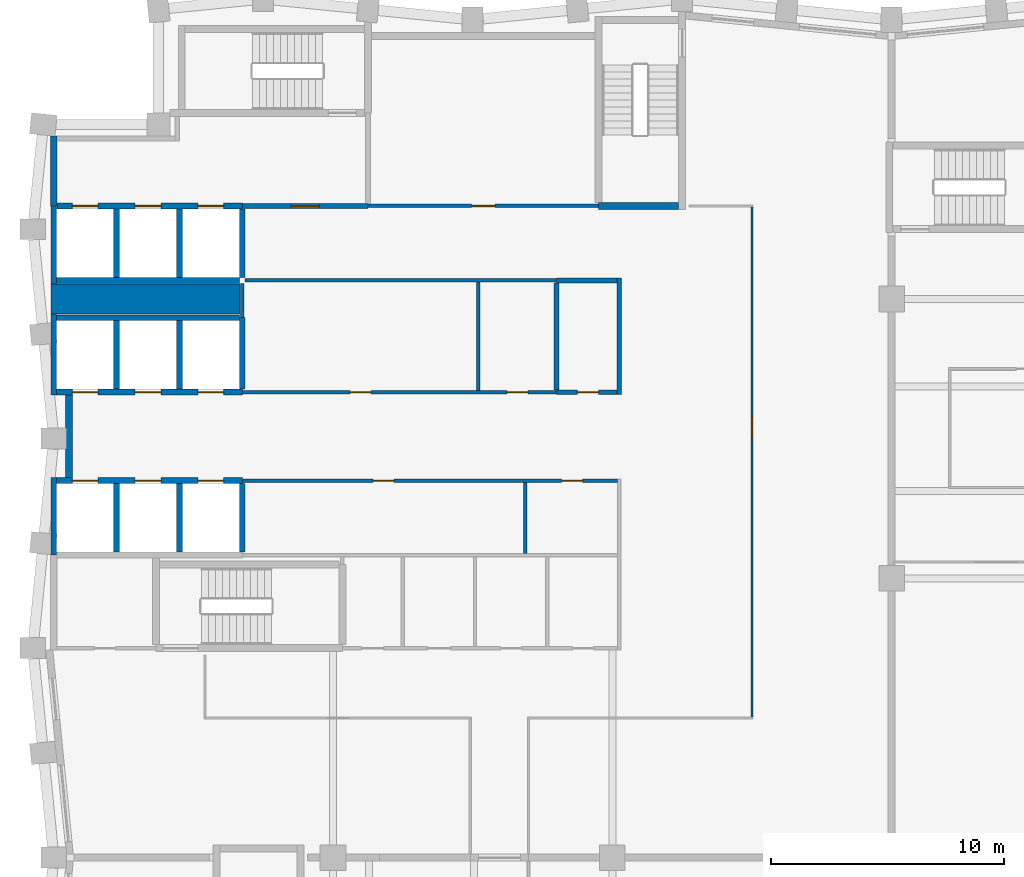
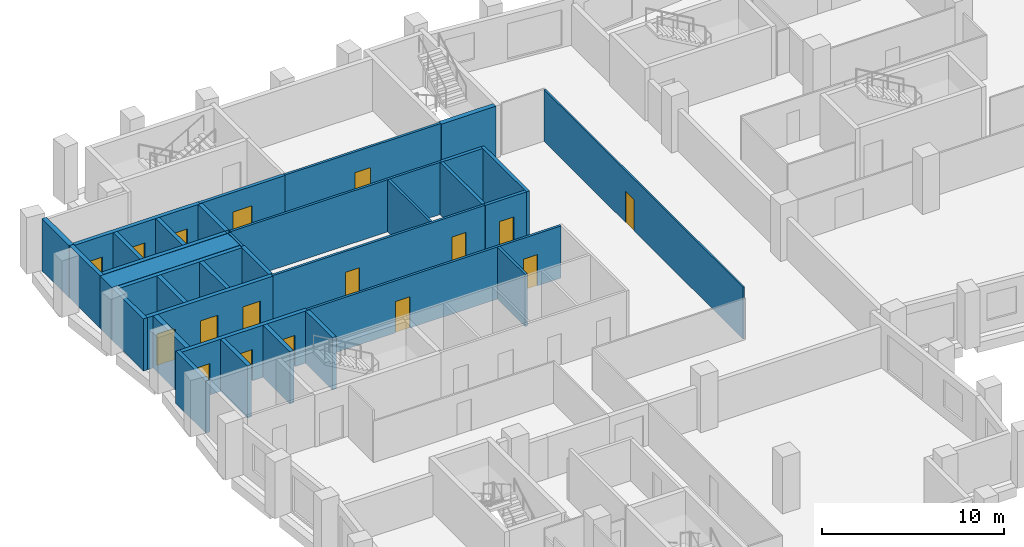
# One storey, part 5 of 10: 34 walls, 17 doors, 17 openings.
"""IFC4 building model written with IfcOpenShell, lengths in metres."""

from ifc_helpers import new_model, si_unit, direction, frame, frame_2d, origin, place, context, subcontext, project, spatial, rectangle, extrude, material, layer, layer_set, type_object, element, fill, save


model = new_model("IFC4")

# Units and contexts
model_context = context("Model", 3, precision=1e-05, world=origin(), true_north=direction((0.0, 1.0)))
body_context = subcontext(model_context, "Body", "Model", "MODEL_VIEW")
ifc_project = project(units=[si_unit("LENGTHUNIT", "METRE"), si_unit("AREAUNIT", "SQUARE_METRE"), si_unit("VOLUMEUNIT", "CUBIC_METRE"), si_unit("PLANEANGLEUNIT", "RADIAN"), si_unit("MASSUNIT", "GRAM", prefix="KILO")], contexts=[model_context])

# Site, building, storey
site_placement = place(None, origin())
site = spatial("IfcSite", under=ifc_project, at=site_placement, CompositionType="ELEMENT")
building_placement = place(site_placement, origin())
building = spatial("IfcBuilding", under=site, at=building_placement, Name="Brondeck Convention Tower", CompositionType="ELEMENT")
storey_placement = place(building_placement, frame((0.0, 0.0, 177.60009765625)))
storey = spatial("IfcBuildingStorey", under=building, at=storey_placement, Name="L43", CompositionType="ELEMENT", Elevation=177.60009765625)

# Walls
ifc_material_1 = material(Name="Concrete C70/85", Category="concrete")
ifc_layer_1 = layer(ifc_material_1, 0.199951171875)
ifc_layer_set_1 = layer_set([ifc_layer_1], Name="Core beam-seat wall 200 Concrete C70/85")
wall_type_1 = type_object("IfcWallType", Name="Core beam-seat wall 200 Concrete C70/85", PredefinedType="SHEAR", material=ifc_layer_set_1)
wall_1_placement = place(storey_placement, frame((24.300048828125, 46.89990234375, 0.0), z_axis=(0.0, 0.0, 1.0), x_axis=(0.0, 1.0, 0.0)))
element("IfcWall", 1, at=wall_1_placement, inside=storey, type_object=wall_type_1, Name="L43 core wall", PredefinedType="SHEAR", context=body_context, shape_type="SweptSolid", body=[
    extrude(rectangle(XDim=5.0, YDim=0.199951171875, at=frame_2d((2.5, 0.0))), origin(), (0.0, 0.0, 1.0), 3.5),
])
ifc_layer_2 = layer(ifc_material_1, 0.300048828125)
ifc_layer_set_2 = layer_set([ifc_layer_2], Name="Core outer wall 300 Concrete C70/85")
wall_type_2 = type_object("IfcWallType", Name="Core outer wall 300 Concrete C70/85", PredefinedType="SHEAR", material=ifc_layer_set_2)
wall_2_placement = place(storey_placement, frame((0.0, 55.0, 0.0), z_axis=(0.0, 0.0, 1.0), x_axis=(0.0, 1.0, 0.0)))
element("IfcWall", 2, at=wall_2_placement, inside=storey, type_object=wall_type_2, Name="L43 core wall", PredefinedType="SHEAR", context=body_context, shape_type="SweptSolid", body=[
    extrude(rectangle(XDim=3.0, YDim=0.300048828125, at=frame_2d((1.5, 0.0))), origin(), (0.0, 0.0, 1.0), 3.5),
])
wall_3_placement = place(storey_placement, frame((0.64990234375, 43.324951171875, 0.0), z_axis=(0.0, 0.0, 1.0), x_axis=(0.0, 1.0, 0.0)))
element("IfcWall", 3, at=wall_3_placement, inside=storey, type_object=wall_type_2, Name="L43 core wall", PredefinedType="SHEAR", context=body_context, shape_type="SweptSolid", body=[
    extrude(rectangle(XDim=3.550048828125, YDim=0.300048828125, at=frame_2d((1.77490234375, 0.0))), origin(), (0.0, 0.0, 1.0), 3.5),
])

# Wall, openings, doors
ifc_material_2 = material(Name="Fire-rated gypsum board partition")
ifc_layer_3 = layer(ifc_material_2, 0.14990234375)
ifc_layer_set_3 = layer_set([ifc_layer_3], Name="Core partition 150 EI 60")
wall_type_3 = type_object("IfcWallType", Name="Core partition 150 EI 60", PredefinedType="PARTITIONING", material=ifc_layer_set_3)
wall_4_placement = place(storey_placement, frame((8.10009765625, 43.199951171875, 0.0), z_axis=(0.0, 0.0, 1.0), x_axis=(1.0, 0.0, 0.0)))
wall_4 = element("IfcWall", 4, at=wall_4_placement, inside=storey, type_object=wall_type_3, Name="L43 core wall", PredefinedType="PARTITIONING", context=body_context, shape_type="SweptSolid", body=[
    extrude(rectangle(XDim=16.125, YDim=0.14990234375, at=frame_2d((8.0625, 0.0))), origin(), (0.0, 0.0, 1.0), 3.5),
])
opening_1_placement = place(wall_4_placement, frame((5.625, 0.0, 0.0)))
opening_1 = element("IfcOpeningElement", 5, at=opening_1_placement, cuts=wall_4, Name="Opening C24-10", PredefinedType="OPENING", context=body_context, shape_type="SweptSolid", body=[
    extrude(rectangle(XDim=0.89990234375, YDim=2.10009765625, at=frame_2d((0.449951171875, 1.050048828125))), frame((0.0, 0.0849609375, 0.0), z_axis=(0.0, -1.0, 0.0), x_axis=(1.0, 0.0, 0.0)), (0.0, 0.0, 1.0), 0.169921875),
])
opening_2_placement = place(wall_4_placement, frame((13.72509765625, 0.0, 0.0)))
opening_2 = element("IfcOpeningElement", 6, at=opening_2_placement, cuts=wall_4, Name="Opening C24-11", PredefinedType="OPENING", context=body_context, shape_type="SweptSolid", body=[
    extrude(rectangle(XDim=0.89990234375, YDim=2.10009765625, at=frame_2d((0.449951171875, 1.050048828125))), frame((0.0, 0.0849609375, 0.0), z_axis=(0.0, -1.0, 0.0), x_axis=(1.0, 0.0, 0.0)), (0.0, 0.0, 1.0), 0.169921875),
])
ifc_material_3 = material(Name="Steel fire door", Category="steel")
door_type_1 = type_object("IfcDoorType", Name="Room door 900x2100 EI 60", OperationType="NOTDEFINED", PredefinedType="DOOR", material=ifc_material_3)
door_1_placement = place(opening_1_placement, origin())
door_1 = element("IfcDoor", 7, at=door_1_placement, inside=storey, type_object=door_type_1, Name="L43 Room door FZ-S-8.1-1", OperationType="SINGLE_SWING_RIGHT", OverallHeight=2.10009765625, OverallWidth=0.89990234375, PredefinedType="DOOR", context=body_context, shape_type="SweptSolid", body=[
    extrude(rectangle(XDim=0.89990234375, YDim=2.10009765625, at=frame_2d((0.449951171875, 1.050048828125))), frame((0.0, 0.02490234375, 0.0), z_axis=(0.0, -1.0, 0.0), x_axis=(1.0, 0.0, 0.0)), (0.0, 0.0, 1.0), 0.050048828125),
])
fill(opening_1, door_1)
door_2_placement = place(opening_2_placement, origin())
door_2 = element("IfcDoor", 8, at=door_2_placement, inside=storey, type_object=door_type_1, Name="L43 Room door FZ-S-8.1-2", OperationType="SINGLE_SWING_LEFT", OverallHeight=2.10009765625, OverallWidth=0.89990234375, PredefinedType="DOOR", context=body_context, shape_type="SweptSolid", body=[
    extrude(rectangle(XDim=0.89990234375, YDim=2.10009765625, at=frame_2d((0.449951171875, 1.050048828125))), frame((0.0, 0.02490234375, 0.0), z_axis=(0.0, -1.0, 0.0), x_axis=(1.0, 0.0, 0.0)), (0.0, 0.0, 1.0), 0.050048828125),
])
fill(opening_2, door_2)

wall_5_placement = place(storey_placement, frame((8.10009765625, 47.0, 0.0), z_axis=(0.0, 0.0, 1.0), x_axis=(1.0, 0.0, 0.0)))
wall_5 = element("IfcWall", 9, at=wall_5_placement, inside=storey, type_object=wall_type_3, Name="L43 core wall", PredefinedType="PARTITIONING", context=body_context, shape_type="SweptSolid", body=[
    extrude(rectangle(XDim=13.5, YDim=0.14990234375, at=frame_2d((6.75, 0.0))), origin(), (0.0, 0.0, 1.0), 3.5),
])
opening_3_placement = place(wall_5_placement, frame((4.625, 0.0, 0.0)))
opening_3 = element("IfcOpeningElement", 10, at=opening_3_placement, cuts=wall_5, Name="Opening C24-08", PredefinedType="OPENING", context=body_context, shape_type="SweptSolid", body=[
    extrude(rectangle(XDim=0.89990234375, YDim=2.10009765625, at=frame_2d((0.449951171875, 1.050048828125))), frame((0.0, 0.0849609375, 0.0), z_axis=(0.0, -1.0, 0.0), x_axis=(1.0, 0.0, 0.0)), (0.0, 0.0, 1.0), 0.169921875),
])
opening_4_placement = place(wall_5_placement, frame((11.375, 0.0, 0.0)))
opening_4 = element("IfcOpeningElement", 11, at=opening_4_placement, cuts=wall_5, Name="Opening C24-09", PredefinedType="OPENING", context=body_context, shape_type="SweptSolid", body=[
    extrude(rectangle(XDim=0.89990234375, YDim=2.10009765625, at=frame_2d((0.449951171875, 1.050048828125))), frame((0.0, 0.0849609375, 0.0), z_axis=(0.0, -1.0, 0.0), x_axis=(1.0, 0.0, 0.0)), (0.0, 0.0, 1.0), 0.169921875),
])
door_3_placement = place(opening_3_placement, origin())
door_3 = element("IfcDoor", 12, at=door_3_placement, inside=storey, type_object=door_type_1, Name="L43 Room door FZ-N-8.1-1", OperationType="SINGLE_SWING_LEFT", OverallHeight=2.10009765625, OverallWidth=0.89990234375, PredefinedType="DOOR", context=body_context, shape_type="SweptSolid", body=[
    extrude(rectangle(XDim=0.89990234375, YDim=2.10009765625, at=frame_2d((0.449951171875, 1.050048828125))), frame((0.0, 0.02490234375, 0.0), z_axis=(0.0, -1.0, 0.0), x_axis=(1.0, 0.0, 0.0)), (0.0, 0.0, 1.0), 0.050048828125),
])
fill(opening_3, door_3)
door_4_placement = place(opening_4_placement, origin())
door_4 = element("IfcDoor", 13, at=door_4_placement, inside=storey, type_object=door_type_1, Name="L43 Room door FZ-N-8.1-2", OperationType="SINGLE_SWING_RIGHT", OverallHeight=2.10009765625, OverallWidth=0.89990234375, PredefinedType="DOOR", context=body_context, shape_type="SweptSolid", body=[
    extrude(rectangle(XDim=0.89990234375, YDim=2.10009765625, at=frame_2d((0.449951171875, 1.050048828125))), frame((0.0, 0.02490234375, 0.0), z_axis=(0.0, -1.0, 0.0), x_axis=(1.0, 0.0, 0.0)), (0.0, 0.0, 1.0), 0.050048828125),
])
fill(opening_4, door_4)

# Wall
wall_6_placement = place(storey_placement, frame((8.22509765625, 51.800048828125, 0.0), z_axis=(0.0, 0.0, 1.0), x_axis=(1.0, 0.0, 0.0)))
element("IfcWall", 14, at=wall_6_placement, inside=storey, type_object=wall_type_3, Name="L43 core wall", PredefinedType="PARTITIONING", context=body_context, shape_type="SweptSolid", body=[
    extrude(rectangle(XDim=13.375, YDim=0.14990234375, at=frame_2d((6.6875, 0.0))), origin(), (0.0, 0.0, 1.0), 3.5),
])

# Wall, opening, door
wall_7_placement = place(storey_placement, frame((13.5, 55.0, 0.0), z_axis=(0.0, 0.0, 1.0), x_axis=(1.0, 0.0, 0.0)))
wall_7 = element("IfcWall", 15, at=wall_7_placement, inside=storey, type_object=wall_type_3, Name="L43 core wall", PredefinedType="PARTITIONING", context=body_context, shape_type="SweptSolid", body=[
    extrude(rectangle(XDim=9.89990234375, YDim=0.14990234375, at=frame_2d((4.949951171875, 0.0))), origin(), (0.0, 0.0, 1.0), 3.5),
])
opening_5_placement = place(wall_7_placement, frame((4.449951171875, 0.0, 0.0)))
opening_5 = element("IfcOpeningElement", 16, at=opening_5_placement, cuts=wall_7, Name="Opening C24-12", PredefinedType="OPENING", context=body_context, shape_type="SweptSolid", body=[
    extrude(rectangle(XDim=1.0, YDim=2.10009765625, at=frame_2d((0.5, 1.050048828125))), frame((0.0, 0.0849609375, 0.0), z_axis=(0.0, -1.0, 0.0), x_axis=(1.0, 0.0, 0.0)), (0.0, 0.0, 1.0), 0.169921875),
])
door_type_2 = type_object("IfcDoorType", Name="Room door 1000x2100 EI 60", OperationType="NOTDEFINED", PredefinedType="DOOR", material=ifc_material_3)
door_5_placement = place(opening_5_placement, origin())
door_5 = element("IfcDoor", 17, at=door_5_placement, inside=storey, type_object=door_type_2, Name="L43 Room door NE-1", OperationType="SINGLE_SWING_LEFT", OverallHeight=2.10009765625, OverallWidth=1.0, PredefinedType="DOOR", context=body_context, shape_type="SweptSolid", body=[
    extrude(rectangle(XDim=1.0, YDim=2.10009765625, at=frame_2d((0.5, 1.050048828125))), frame((0.0, 0.02490234375, 0.0), z_axis=(0.0, -1.0, 0.0), x_axis=(1.0, 0.0, 0.0)), (0.0, 0.0, 1.0), 0.050048828125),
])
fill(opening_5, door_5)

# Walls
wall_8_placement = place(storey_placement, frame((8.10009765625, 50.199951171875, 0.0), z_axis=(0.0, 0.0, 1.0), x_axis=(0.0, 1.0, 0.0)))
element("IfcWall", 18, at=wall_8_placement, inside=storey, type_object=wall_type_3, Name="L43 core wall", PredefinedType="PARTITIONING", context=body_context, shape_type="SweptSolid", body=[
    extrude(rectangle(XDim=1.47509765625, YDim=0.14990234375, at=frame_2d((0.737548828125, 0.0))), origin(), (0.0, 0.0, 1.0), 3.5),
])
wall_9_placement = place(storey_placement, frame((18.25, 47.074951171875, 0.0), z_axis=(0.0, 0.0, 1.0), x_axis=(0.0, 1.0, 0.0)))
element("IfcWall", 19, at=wall_9_placement, inside=storey, type_object=wall_type_3, Name="L43 core wall", PredefinedType="PARTITIONING", context=body_context, shape_type="SweptSolid", body=[
    extrude(rectangle(XDim=4.650146484375, YDim=0.14990234375, at=frame_2d((2.3251953125, 0.0))), origin(), (0.0, 0.0, 1.0), 3.5),
])
wall_10_placement = place(storey_placement, frame((20.25, 40.074951171875, 0.0), z_axis=(0.0, 0.0, 1.0), x_axis=(0.0, 1.0, 0.0)))
element("IfcWall", 20, at=wall_10_placement, inside=storey, type_object=wall_type_3, Name="L43 core wall", PredefinedType="PARTITIONING", context=body_context, shape_type="SweptSolid", body=[
    extrude(rectangle(XDim=3.050048828125, YDim=0.14990234375, at=frame_2d((1.52490234375, 0.0))), origin(), (0.0, 0.0, 1.0), 3.5),
])
ifc_layer_4 = layer(ifc_material_1, 1.300048828125)
ifc_layer_set_4 = layer_set([ifc_layer_4], Name="Core shear wall 1300 Concrete C70/85")
wall_type_4 = type_object("IfcWallType", Name="Core shear wall 1300 Concrete C70/85", PredefinedType="SHEAR", material=ifc_layer_set_4)
wall_11_placement = place(storey_placement, frame((-0.125, 51.0, 0.0), z_axis=(0.0, 0.0, 1.0), x_axis=(1.0, 0.0, 0.0)))
element("IfcWall", 21, at=wall_11_placement, inside=storey, type_object=wall_type_4, Name="L43 core wall", PredefinedType="SHEAR", context=body_context, shape_type="SweptSolid", body=[
    extrude(rectangle(XDim=8.125, YDim=1.300048828125, at=frame_2d((4.0625, 0.0))), origin(), (0.0, 0.0, 1.0), 3.5),
])

# Wall, opening, door
ifc_layer_5 = layer(ifc_material_2, 0.199951171875)
ifc_layer_set_5 = layer_set([ifc_layer_5], Name="Firefighting lobby wall 200 EI 120")
wall_type_5 = type_object("IfcWallType", Name="Firefighting lobby wall 200 EI 120", PredefinedType="PARTITIONING", material=ifc_layer_set_5)
wall_12_placement = place(storey_placement, frame((8.10009765625, 55.0, 0.0), z_axis=(0.0, 0.0, 1.0), x_axis=(1.0, 0.0, 0.0)))
wall_12 = element("IfcWall", 22, at=wall_12_placement, inside=storey, type_object=wall_type_5, Name="L43 core wall", PredefinedType="PARTITIONING", context=body_context, shape_type="SweptSolid", body=[
    extrude(rectangle(XDim=5.39990234375, YDim=0.199951171875, at=frame_2d((2.699951171875, 0.0))), origin(), (0.0, 0.0, 1.0), 3.5),
])
opening_6_placement = place(wall_12_placement, frame((2.10009765625, 0.0, 0.0)))
opening_6 = element("IfcOpeningElement", 23, at=opening_6_placement, cuts=wall_12, Name="Opening C24-01", PredefinedType="OPENING", context=body_context, shape_type="SweptSolid", body=[
    extrude(rectangle(XDim=1.199951171875, YDim=2.199951171875, at=frame_2d((0.60009765625, 1.10009765625))), frame((0.0, 0.10986328125, 0.0), z_axis=(0.0, -1.0, 0.0), x_axis=(1.0, 0.0, 0.0)), (0.0, 0.0, 1.0), 0.219970703125),
])
door_type_3 = type_object("IfcDoorType", Name="Firefighting lobby door 1200x2200 EI 120", OperationType="NOTDEFINED", PredefinedType="DOOR", material=ifc_material_3)
door_6_placement = place(opening_6_placement, origin())
door_6 = element("IfcDoor", 24, at=door_6_placement, inside=storey, type_object=door_type_3, Name="L43 Firefighting lobby door FFL-1", OperationType="SINGLE_SWING_RIGHT", OverallHeight=2.199951171875, OverallWidth=1.199951171875, PredefinedType="DOOR", context=body_context, shape_type="SweptSolid", body=[
    extrude(rectangle(XDim=1.199951171875, YDim=2.199951171875, at=frame_2d((0.60009765625, 1.10009765625))), frame((0.0, 0.02490234375, 0.0), z_axis=(0.0, -1.0, 0.0), x_axis=(1.0, 0.0, 0.0)), (0.0, 0.0, 1.0), 0.050048828125),
])
fill(opening_6, door_6)

# Wall, openings, doors
ifc_layer_6 = layer(ifc_material_1, 0.25)
ifc_layer_set_6 = layer_set([ifc_layer_6], Name="Lift shaft wall 250 Concrete C70/85")
wall_type_6 = type_object("IfcWallType", Name="Lift shaft wall 250 Concrete C70/85", PredefinedType="SHEAR", material=ifc_layer_set_6)
wall_13_placement = place(storey_placement, frame((0.125, 43.199951171875, 0.0), z_axis=(0.0, 0.0, 1.0), x_axis=(1.0, 0.0, 0.0)))
wall_13 = element("IfcWall", 25, at=wall_13_placement, inside=storey, type_object=wall_type_6, Name="L43 core wall", PredefinedType="SHEAR", context=body_context, shape_type="SweptSolid", body=[
    extrude(rectangle(XDim=7.97509765625, YDim=0.25, at=frame_2d((3.987548828125, 0.0))), origin(), (0.0, 0.0, 1.0), 3.5),
])
opening_7_placement = place(wall_13_placement, frame((0.675048828125, 0.0, 0.0)))
opening_7 = element("IfcOpeningElement", 26, at=opening_7_placement, cuts=wall_13, Name="Opening C24-23", PredefinedType="OPENING", context=body_context, shape_type="SweptSolid", body=[
    extrude(rectangle(XDim=1.10009765625, YDim=2.10009765625, at=frame_2d((0.550048828125, 1.050048828125))), frame((0.0, 0.135009765625, 0.0), z_axis=(0.0, -1.0, 0.0), x_axis=(1.0, 0.0, 0.0)), (0.0, 0.0, 1.0), 0.27001953125),
])
opening_8_placement = place(wall_13_placement, frame((3.375, 0.0, 0.0)))
opening_8 = element("IfcOpeningElement", 27, at=opening_8_placement, cuts=wall_13, Name="Opening C24-24", PredefinedType="OPENING", context=body_context, shape_type="SweptSolid", body=[
    extrude(rectangle(XDim=1.10009765625, YDim=2.10009765625, at=frame_2d((0.550048828125, 1.050048828125))), frame((0.0, 0.135009765625, 0.0), z_axis=(0.0, -1.0, 0.0), x_axis=(1.0, 0.0, 0.0)), (0.0, 0.0, 1.0), 0.27001953125),
])
opening_9_placement = place(wall_13_placement, frame((6.074951171875, 0.0, 0.0)))
opening_9 = element("IfcOpeningElement", 28, at=opening_9_placement, cuts=wall_13, Name="Opening C24-25", PredefinedType="OPENING", context=body_context, shape_type="SweptSolid", body=[
    extrude(rectangle(XDim=1.10009765625, YDim=2.10009765625, at=frame_2d((0.550048828125, 1.050048828125))), frame((0.0, 0.135009765625, 0.0), z_axis=(0.0, -1.0, 0.0), x_axis=(1.0, 0.0, 0.0)), (0.0, 0.0, 1.0), 0.27001953125),
])
ifc_material_4 = material(Name="Stainless steel lift door", Category="steel")
door_type_4 = type_object("IfcDoorType", Name="Lift landing door 1100x2100 EI 180", OperationType="DOUBLE_DOOR_SLIDING", PredefinedType="DOOR", material=ifc_material_4)
door_7_placement = place(opening_7_placement, origin())
door_7 = element("IfcDoor", 29, at=door_7_placement, inside=storey, type_object=door_type_4, Name="L43 Lift landing door HR1", OperationType="DOUBLE_DOOR_SLIDING", OverallHeight=2.10009765625, OverallWidth=1.10009765625, PredefinedType="DOOR", context=body_context, shape_type="SweptSolid", body=[
    extrude(rectangle(XDim=1.10009765625, YDim=2.10009765625, at=frame_2d((0.550048828125, 1.050048828125))), frame((0.0, 0.02490234375, 0.0), z_axis=(0.0, -1.0, 0.0), x_axis=(1.0, 0.0, 0.0)), (0.0, 0.0, 1.0), 0.050048828125),
])
fill(opening_7, door_7)
door_8_placement = place(opening_8_placement, origin())
door_8 = element("IfcDoor", 30, at=door_8_placement, inside=storey, type_object=door_type_4, Name="L43 Lift landing door HR2", OperationType="DOUBLE_DOOR_SLIDING", OverallHeight=2.10009765625, OverallWidth=1.10009765625, PredefinedType="DOOR", context=body_context, shape_type="SweptSolid", body=[
    extrude(rectangle(XDim=1.10009765625, YDim=2.10009765625, at=frame_2d((0.550048828125, 1.050048828125))), frame((0.0, 0.02490234375, 0.0), z_axis=(0.0, -1.0, 0.0), x_axis=(1.0, 0.0, 0.0)), (0.0, 0.0, 1.0), 0.050048828125),
])
fill(opening_8, door_8)
door_9_placement = place(opening_9_placement, origin())
door_9 = element("IfcDoor", 31, at=door_9_placement, inside=storey, type_object=door_type_4, Name="L43 Lift landing door HR3", OperationType="DOUBLE_DOOR_SLIDING", OverallHeight=2.10009765625, OverallWidth=1.10009765625, PredefinedType="DOOR", context=body_context, shape_type="SweptSolid", body=[
    extrude(rectangle(XDim=1.10009765625, YDim=2.10009765625, at=frame_2d((0.550048828125, 1.050048828125))), frame((0.0, 0.02490234375, 0.0), z_axis=(0.0, -1.0, 0.0), x_axis=(1.0, 0.0, 0.0)), (0.0, 0.0, 1.0), 0.050048828125),
])
fill(opening_9, door_9)

wall_14_placement = place(storey_placement, frame((0.125, 47.0, 0.0), z_axis=(0.0, 0.0, 1.0), x_axis=(1.0, 0.0, 0.0)))
wall_14 = element("IfcWall", 32, at=wall_14_placement, inside=storey, type_object=wall_type_6, Name="L43 core wall", PredefinedType="SHEAR", context=body_context, shape_type="SweptSolid", body=[
    extrude(rectangle(XDim=7.97509765625, YDim=0.25, at=frame_2d((3.987548828125, 0.0))), origin(), (0.0, 0.0, 1.0), 3.5),
])
opening_10_placement = place(wall_14_placement, frame((0.675048828125, 0.0, 0.0)))
opening_10 = element("IfcOpeningElement", 33, at=opening_10_placement, cuts=wall_14, Name="Opening C24-26", PredefinedType="OPENING", context=body_context, shape_type="SweptSolid", body=[
    extrude(rectangle(XDim=1.10009765625, YDim=2.10009765625, at=frame_2d((0.550048828125, 1.050048828125))), frame((0.0, 0.135009765625, 0.0), z_axis=(0.0, -1.0, 0.0), x_axis=(1.0, 0.0, 0.0)), (0.0, 0.0, 1.0), 0.27001953125),
])
opening_11_placement = place(wall_14_placement, frame((3.375, 0.0, 0.0)))
opening_11 = element("IfcOpeningElement", 34, at=opening_11_placement, cuts=wall_14, Name="Opening C24-27", PredefinedType="OPENING", context=body_context, shape_type="SweptSolid", body=[
    extrude(rectangle(XDim=1.10009765625, YDim=2.10009765625, at=frame_2d((0.550048828125, 1.050048828125))), frame((0.0, 0.135009765625, 0.0), z_axis=(0.0, -1.0, 0.0), x_axis=(1.0, 0.0, 0.0)), (0.0, 0.0, 1.0), 0.27001953125),
])
opening_12_placement = place(wall_14_placement, frame((6.074951171875, 0.0, 0.0)))
opening_12 = element("IfcOpeningElement", 35, at=opening_12_placement, cuts=wall_14, Name="Opening C24-28", PredefinedType="OPENING", context=body_context, shape_type="SweptSolid", body=[
    extrude(rectangle(XDim=1.10009765625, YDim=2.10009765625, at=frame_2d((0.550048828125, 1.050048828125))), frame((0.0, 0.135009765625, 0.0), z_axis=(0.0, -1.0, 0.0), x_axis=(1.0, 0.0, 0.0)), (0.0, 0.0, 1.0), 0.27001953125),
])
door_10_placement = place(opening_10_placement, origin())
door_10 = element("IfcDoor", 36, at=door_10_placement, inside=storey, type_object=door_type_4, Name="L43 Lift landing door HR4", OperationType="DOUBLE_DOOR_SLIDING", OverallHeight=2.10009765625, OverallWidth=1.10009765625, PredefinedType="DOOR", context=body_context, shape_type="SweptSolid", body=[
    extrude(rectangle(XDim=1.10009765625, YDim=2.10009765625, at=frame_2d((0.550048828125, 1.050048828125))), frame((0.0, 0.02490234375, 0.0), z_axis=(0.0, -1.0, 0.0), x_axis=(1.0, 0.0, 0.0)), (0.0, 0.0, 1.0), 0.050048828125),
])
fill(opening_10, door_10)
door_11_placement = place(opening_11_placement, origin())
door_11 = element("IfcDoor", 37, at=door_11_placement, inside=storey, type_object=door_type_4, Name="L43 Lift landing door HR5", OperationType="DOUBLE_DOOR_SLIDING", OverallHeight=2.10009765625, OverallWidth=1.10009765625, PredefinedType="DOOR", context=body_context, shape_type="SweptSolid", body=[
    extrude(rectangle(XDim=1.10009765625, YDim=2.10009765625, at=frame_2d((0.550048828125, 1.050048828125))), frame((0.0, 0.02490234375, 0.0), z_axis=(0.0, -1.0, 0.0), x_axis=(1.0, 0.0, 0.0)), (0.0, 0.0, 1.0), 0.050048828125),
])
fill(opening_11, door_11)
door_12_placement = place(opening_12_placement, origin())
door_12 = element("IfcDoor", 38, at=door_12_placement, inside=storey, type_object=door_type_4, Name="L43 Lift landing door HR6", OperationType="DOUBLE_DOOR_SLIDING", OverallHeight=2.10009765625, OverallWidth=1.10009765625, PredefinedType="DOOR", context=body_context, shape_type="SweptSolid", body=[
    extrude(rectangle(XDim=1.10009765625, YDim=2.10009765625, at=frame_2d((0.550048828125, 1.050048828125))), frame((0.0, 0.02490234375, 0.0), z_axis=(0.0, -1.0, 0.0), x_axis=(1.0, 0.0, 0.0)), (0.0, 0.0, 1.0), 0.050048828125),
])
fill(opening_12, door_12)

# Walls
for number, where, z_axis, x_axis, name in (
    (39, (0.125, 50.199951171875, 0.0), (0.0, 0.0, 1.0), (1.0, 0.0, 0.0), "L43 core wall"),
    (40, (0.125, 51.800048828125, 0.0), (0.0, 0.0, 1.0), (1.0, 0.0, 0.0), "L43 core wall"),
):
    element("IfcWall", number, at=place(storey_placement, frame(where, z_axis=z_axis, x_axis=x_axis)), inside=storey, type_object=wall_type_6, Name=name, PredefinedType="SHEAR", context=body_context, shape_type="SweptSolid", body=[
        extrude(rectangle(XDim=7.85009765625, YDim=0.25, at=frame_2d((3.925048828125, 0.0))), origin(), (0.0, 0.0, 1.0), 3.5),
    ])

# Wall, openings, doors
wall_15_placement = place(storey_placement, frame((0.14990234375, 55.0, 0.0), z_axis=(0.0, 0.0, 1.0), x_axis=(1.0, 0.0, 0.0)))
wall_15 = element("IfcWall", 41, at=wall_15_placement, inside=storey, type_object=wall_type_6, Name="L43 core wall", PredefinedType="SHEAR", context=body_context, shape_type="SweptSolid", body=[
    extrude(rectangle(XDim=7.9501953125, YDim=0.25, at=frame_2d((3.97509765625, 0.0))), origin(), (0.0, 0.0, 1.0), 3.5),
])
opening_13_placement = place(wall_15_placement, frame((0.64990234375, 0.0, 0.0)))
opening_13 = element("IfcOpeningElement", 42, at=opening_13_placement, cuts=wall_15, Name="Opening C24-20", PredefinedType="OPENING", context=body_context, shape_type="SweptSolid", body=[
    extrude(rectangle(XDim=1.10009765625, YDim=2.10009765625, at=frame_2d((0.550048828125, 1.050048828125))), frame((0.0, 0.135009765625, 0.0), z_axis=(0.0, -1.0, 0.0), x_axis=(1.0, 0.0, 0.0)), (0.0, 0.0, 1.0), 0.27001953125),
])
opening_14_placement = place(wall_15_placement, frame((3.35009765625, 0.0, 0.0)))
opening_14 = element("IfcOpeningElement", 43, at=opening_14_placement, cuts=wall_15, Name="Opening C24-21", PredefinedType="OPENING", context=body_context, shape_type="SweptSolid", body=[
    extrude(rectangle(XDim=1.10009765625, YDim=2.10009765625, at=frame_2d((0.550048828125, 1.050048828125))), frame((0.0, 0.135009765625, 0.0), z_axis=(0.0, -1.0, 0.0), x_axis=(1.0, 0.0, 0.0)), (0.0, 0.0, 1.0), 0.27001953125),
])
opening_15_placement = place(wall_15_placement, frame((6.050048828125, 0.0, 0.0)))
opening_15 = element("IfcOpeningElement", 44, at=opening_15_placement, cuts=wall_15, Name="Opening C24-22", PredefinedType="OPENING", context=body_context, shape_type="SweptSolid", body=[
    extrude(rectangle(XDim=1.10009765625, YDim=2.10009765625, at=frame_2d((0.550048828125, 1.050048828125))), frame((0.0, 0.135009765625, 0.0), z_axis=(0.0, -1.0, 0.0), x_axis=(1.0, 0.0, 0.0)), (0.0, 0.0, 1.0), 0.27001953125),
])
door_13_placement = place(opening_13_placement, origin())
door_13 = element("IfcDoor", 45, at=door_13_placement, inside=storey, type_object=door_type_4, Name="L43 Lift landing door FF1", OperationType="DOUBLE_DOOR_SLIDING", OverallHeight=2.10009765625, OverallWidth=1.10009765625, PredefinedType="DOOR", context=body_context, shape_type="SweptSolid", body=[
    extrude(rectangle(XDim=1.10009765625, YDim=2.10009765625, at=frame_2d((0.550048828125, 1.050048828125))), frame((0.0, 0.02490234375, 0.0), z_axis=(0.0, -1.0, 0.0), x_axis=(1.0, 0.0, 0.0)), (0.0, 0.0, 1.0), 0.050048828125),
])
fill(opening_13, door_13)
door_14_placement = place(opening_14_placement, origin())
door_14 = element("IfcDoor", 46, at=door_14_placement, inside=storey, type_object=door_type_4, Name="L43 Lift landing door FF2", OperationType="DOUBLE_DOOR_SLIDING", OverallHeight=2.10009765625, OverallWidth=1.10009765625, PredefinedType="DOOR", context=body_context, shape_type="SweptSolid", body=[
    extrude(rectangle(XDim=1.10009765625, YDim=2.10009765625, at=frame_2d((0.550048828125, 1.050048828125))), frame((0.0, 0.02490234375, 0.0), z_axis=(0.0, -1.0, 0.0), x_axis=(1.0, 0.0, 0.0)), (0.0, 0.0, 1.0), 0.050048828125),
])
fill(opening_14, door_14)
door_15_placement = place(opening_15_placement, origin())
door_15 = element("IfcDoor", 47, at=door_15_placement, inside=storey, type_object=door_type_4, Name="L43 Lift landing door FF3", OperationType="DOUBLE_DOOR_SLIDING", OverallHeight=2.10009765625, OverallWidth=1.10009765625, PredefinedType="DOOR", context=body_context, shape_type="SweptSolid", body=[
    extrude(rectangle(XDim=1.10009765625, YDim=2.10009765625, at=frame_2d((0.550048828125, 1.050048828125))), frame((0.0, 0.02490234375, 0.0), z_axis=(0.0, -1.0, 0.0), x_axis=(1.0, 0.0, 0.0)), (0.0, 0.0, 1.0), 0.050048828125),
])
fill(opening_15, door_15)

# Walls
wall_16_placement = place(storey_placement, frame((0.0, 40.0, 0.0), z_axis=(0.0, 0.0, 1.0), x_axis=(0.0, 1.0, 0.0)))
element("IfcWall", 48, at=wall_16_placement, inside=storey, type_object=wall_type_6, Name="L43 core wall", PredefinedType="SHEAR", context=body_context, shape_type="SweptSolid", body=[
    extrude(rectangle(XDim=3.324951171875, YDim=0.25, at=frame_2d((1.66259765625, 0.0))), origin(), (0.0, 0.0, 1.0), 3.5),
])
wall_17_placement = place(storey_placement, frame((0.0, 46.875, 0.0), z_axis=(0.0, 0.0, 1.0), x_axis=(0.0, 1.0, 0.0)))
element("IfcWall", 49, at=wall_17_placement, inside=storey, type_object=wall_type_6, Name="L43 core wall", PredefinedType="SHEAR", context=body_context, shape_type="SweptSolid", body=[
    extrude(rectangle(XDim=3.47509765625, YDim=0.25, at=frame_2d((1.737548828125, 0.0))), origin(), (0.0, 0.0, 1.0), 3.5),
])
wall_18_placement = place(storey_placement, frame((0.0, 51.64990234375, 0.0), z_axis=(0.0, 0.0, 1.0), x_axis=(0.0, 1.0, 0.0)))
element("IfcWall", 50, at=wall_18_placement, inside=storey, type_object=wall_type_6, Name="L43 core wall", PredefinedType="SHEAR", context=body_context, shape_type="SweptSolid", body=[
    extrude(rectangle(XDim=3.35009765625, YDim=0.25, at=frame_2d((1.675048828125, 0.0))), origin(), (0.0, 0.0, 1.0), 3.5),
])
for number, where, z_axis, x_axis, name in (
    (51, (2.699951171875, 40.125, 0.0), (0.0, 0.0, 1.0), (0.0, 1.0, 0.0), "L43 core wall"),
    (52, (2.699951171875, 47.125, 0.0), (0.0, 0.0, 1.0), (0.0, 1.0, 0.0), "L43 core wall"),
    (53, (2.699951171875, 51.925048828125, 0.0), (0.0, 0.0, 1.0), (0.0, 1.0, 0.0), "L43 core wall"),
    (54, (5.39990234375, 40.125, 0.0), (0.0, 0.0, 1.0), (0.0, 1.0, 0.0), "L43 core wall"),
    (55, (5.39990234375, 47.125, 0.0), (0.0, 0.0, 1.0), (0.0, 1.0, 0.0), "L43 core wall"),
    (56, (5.39990234375, 51.925048828125, 0.0), (0.0, 0.0, 1.0), (0.0, 1.0, 0.0), "L43 core wall"),
    (57, (8.10009765625, 40.125, 0.0), (0.0, 0.0, 1.0), (0.0, 1.0, 0.0), "L43 core wall"),
):
    element("IfcWall", number, at=place(storey_placement, frame(where, z_axis=z_axis, x_axis=x_axis)), inside=storey, type_object=wall_type_6, Name=name, PredefinedType="SHEAR", context=body_context, shape_type="SweptSolid", body=[
        extrude(rectangle(XDim=2.949951171875, YDim=0.25, at=frame_2d((1.47509765625, 0.0))), origin(), (0.0, 0.0, 1.0), 3.5),
    ])
wall_19_placement = place(storey_placement, frame((8.10009765625, 47.125, 0.0), z_axis=(0.0, 0.0, 1.0), x_axis=(0.0, 1.0, 0.0)))
element("IfcWall", 58, at=wall_19_placement, inside=storey, type_object=wall_type_6, Name="L43 core wall", PredefinedType="SHEAR", context=body_context, shape_type="SweptSolid", body=[
    extrude(rectangle(XDim=3.074951171875, YDim=0.25, at=frame_2d((1.53759765625, 0.0))), origin(), (0.0, 0.0, 1.0), 3.5),
])
wall_20_placement = place(storey_placement, frame((8.10009765625, 51.925048828125, 0.0), z_axis=(0.0, 0.0, 1.0), x_axis=(0.0, 1.0, 0.0)))
element("IfcWall", 59, at=wall_20_placement, inside=storey, type_object=wall_type_6, Name="L43 core wall", PredefinedType="SHEAR", context=body_context, shape_type="SweptSolid", body=[
    extrude(rectangle(XDim=2.949951171875, YDim=0.25, at=frame_2d((1.47509765625, 0.0))), origin(), (0.0, 0.0, 1.0), 3.5),
])

# Wall, opening, door
ifc_layer_7 = layer(ifc_material_2, 0.199951171875)
ifc_layer_set_7 = layer_set([ifc_layer_7], Name="Riser wall 200 EI 120")
wall_type_7 = type_object("IfcWallType", Name="Riser wall 200 EI 120", PredefinedType="PARTITIONING", material=ifc_layer_set_7)
wall_21_placement = place(storey_placement, frame((21.60009765625, 47.0, 0.0), z_axis=(0.0, 0.0, 1.0), x_axis=(1.0, 0.0, 0.0)))
wall_21 = element("IfcWall", 60, at=wall_21_placement, inside=storey, type_object=wall_type_7, Name="L43 core wall", PredefinedType="PARTITIONING", context=body_context, shape_type="SweptSolid", body=[
    extrude(rectangle(XDim=2.599853515625, YDim=0.199951171875, at=frame_2d((1.2998046875, 0.0))), origin(), (0.0, 0.0, 1.0), 3.5),
])
opening_16_placement = place(wall_21_placement, frame((0.89990234375, 0.0, 0.0)))
opening_16 = element("IfcOpeningElement", 61, at=opening_16_placement, cuts=wall_21, Name="Opening C24-02", PredefinedType="OPENING", context=body_context, shape_type="SweptSolid", body=[
    extrude(rectangle(XDim=0.89990234375, YDim=2.10009765625, at=frame_2d((0.449951171875, 1.050048828125))), frame((0.0, 0.10986328125, 0.0), z_axis=(0.0, -1.0, 0.0), x_axis=(1.0, 0.0, 0.0)), (0.0, 0.0, 1.0), 0.219970703125),
])
door_type_5 = type_object("IfcDoorType", Name="Riser door 900x2100 EI 120", OperationType="NOTDEFINED", PredefinedType="DOOR", material=ifc_material_3)
door_16_placement = place(opening_16_placement, origin())
door_16 = element("IfcDoor", 62, at=door_16_placement, inside=storey, type_object=door_type_5, Name="L43 Riser door EN-1", OperationType="SINGLE_SWING_LEFT", OverallHeight=2.10009765625, OverallWidth=0.89990234375, PredefinedType="DOOR", context=body_context, shape_type="SweptSolid", body=[
    extrude(rectangle(XDim=0.89990234375, YDim=2.10009765625, at=frame_2d((0.449951171875, 1.050048828125))), frame((0.0, 0.02490234375, 0.0), z_axis=(0.0, -1.0, 0.0), x_axis=(1.0, 0.0, 0.0)), (0.0, 0.0, 1.0), 0.050048828125),
])
fill(opening_16, door_16)

# Walls
wall_22_placement = place(storey_placement, frame((21.60009765625, 51.800048828125, 0.0), z_axis=(0.0, 0.0, 1.0), x_axis=(1.0, 0.0, 0.0)))
element("IfcWall", 63, at=wall_22_placement, inside=storey, type_object=wall_type_7, Name="L43 core wall", PredefinedType="PARTITIONING", context=body_context, shape_type="SweptSolid", body=[
    extrude(rectangle(XDim=2.599853515625, YDim=0.199951171875, at=frame_2d((1.2998046875, 0.0))), origin(), (0.0, 0.0, 1.0), 3.5),
])
wall_23_placement = place(storey_placement, frame((21.60009765625, 47.10009765625, 0.0), z_axis=(0.0, 0.0, 1.0), x_axis=(0.0, 1.0, 0.0)))
element("IfcWall", 64, at=wall_23_placement, inside=storey, type_object=wall_type_7, Name="L43 core wall", PredefinedType="PARTITIONING", context=body_context, shape_type="SweptSolid", body=[
    extrude(rectangle(XDim=4.599853515625, YDim=0.199951171875, at=frame_2d((2.2998046875, 0.0))), origin(), (0.0, 0.0, 1.0), 3.5),
])

# Wall, opening, door
ifc_material_5 = material(Name="Gypsum board partition on steel studs", Category="steel")
ifc_layer_8 = layer(ifc_material_5, 0.10009765625)
ifc_layer_set_8 = layer_set([ifc_layer_8], Name="Room partition 100")
wall_type_8 = type_object("IfcWallType", Name="Room partition 100", PredefinedType="PARTITIONING", material=ifc_layer_set_8)
wall_24_placement = place(storey_placement, frame((30.0, 54.949951171875, 0.0), z_axis=(0.0, 0.0, 1.0), x_axis=(0.0, -1.0, 0.0)))
wall_24 = element("IfcWall", 65, at=wall_24_placement, inside=storey, type_object=wall_type_8, Name="FLR-L43-W047", PredefinedType="PARTITIONING", context=body_context, shape_type="SweptSolid", body=[
    extrude(rectangle(XDim=21.89990234375, YDim=0.10009765625, at=frame_2d((10.949951171875, 0.0))), origin(), (0.0, 0.0, 1.0), 3.47998046875),
])
opening_17_placement = place(wall_24_placement, frame((9.0, 0.0, 0.0)))
opening_17 = element("IfcOpeningElement", 66, at=opening_17_placement, cuts=wall_24, Name="Opening OF-I-012", PredefinedType="OPENING", context=body_context, shape_type="SweptSolid", body=[
    extrude(rectangle(XDim=0.89990234375, YDim=2.10009765625, at=frame_2d((0.449951171875, 1.050048828125))), frame((0.0, 0.06005859375, 0.0), z_axis=(0.0, -1.0, 0.0), x_axis=(1.0, 0.0, 0.0)), (0.0, 0.0, 1.0), 0.1201171875),
])
ifc_material_6 = material(Name="Solid timber door leaf", Category="wood")
door_type_6 = type_object("IfcDoorType", Name="Single door 900", OperationType="NOTDEFINED", PredefinedType="DOOR", material=ifc_material_6)
door_17_placement = place(opening_17_placement, origin())
door_17 = element("IfcDoor", 67, at=door_17_placement, inside=storey, type_object=door_type_6, Name="Door OF-I-012", OperationType="SINGLE_SWING_LEFT", OverallHeight=2.10009765625, OverallWidth=0.89990234375, PredefinedType="DOOR", context=body_context, shape_type="SweptSolid", body=[
    extrude(rectangle(XDim=0.89990234375, YDim=2.10009765625, at=frame_2d((0.449951171875, 1.050048828125))), frame((0.0, 0.02490234375, 0.0), z_axis=(0.0, -1.0, 0.0), x_axis=(1.0, 0.0, 0.0)), (0.0, 0.0, 1.0), 0.050048828125),
])
fill(opening_17, door_17)

# Wall
ifc_layer_9 = layer(ifc_material_1, 0.300048828125)
ifc_layer_set_9 = layer_set([ifc_layer_9], Name="Stair enclosure wall 300 Concrete C70/85")
wall_type_9 = type_object("IfcWallType", Name="Stair enclosure wall 300 Concrete C70/85", PredefinedType="SHEAR", material=ifc_layer_set_9)
wall_25_placement = place(storey_placement, frame((23.39990234375, 55.0, 0.0), z_axis=(0.0, 0.0, 1.0), x_axis=(1.0, 0.0, 0.0)))
element("IfcWall", 68, at=wall_25_placement, inside=storey, type_object=wall_type_9, Name="L43 core wall", PredefinedType="SHEAR", context=body_context, shape_type="SweptSolid", body=[
    extrude(rectangle(XDim=3.4501953125, YDim=0.300048828125, at=frame_2d((1.72509765625, 0.0))), origin(), (0.0, 0.0, 1.0), 3.5),
])

save(model, "model.ifc")
